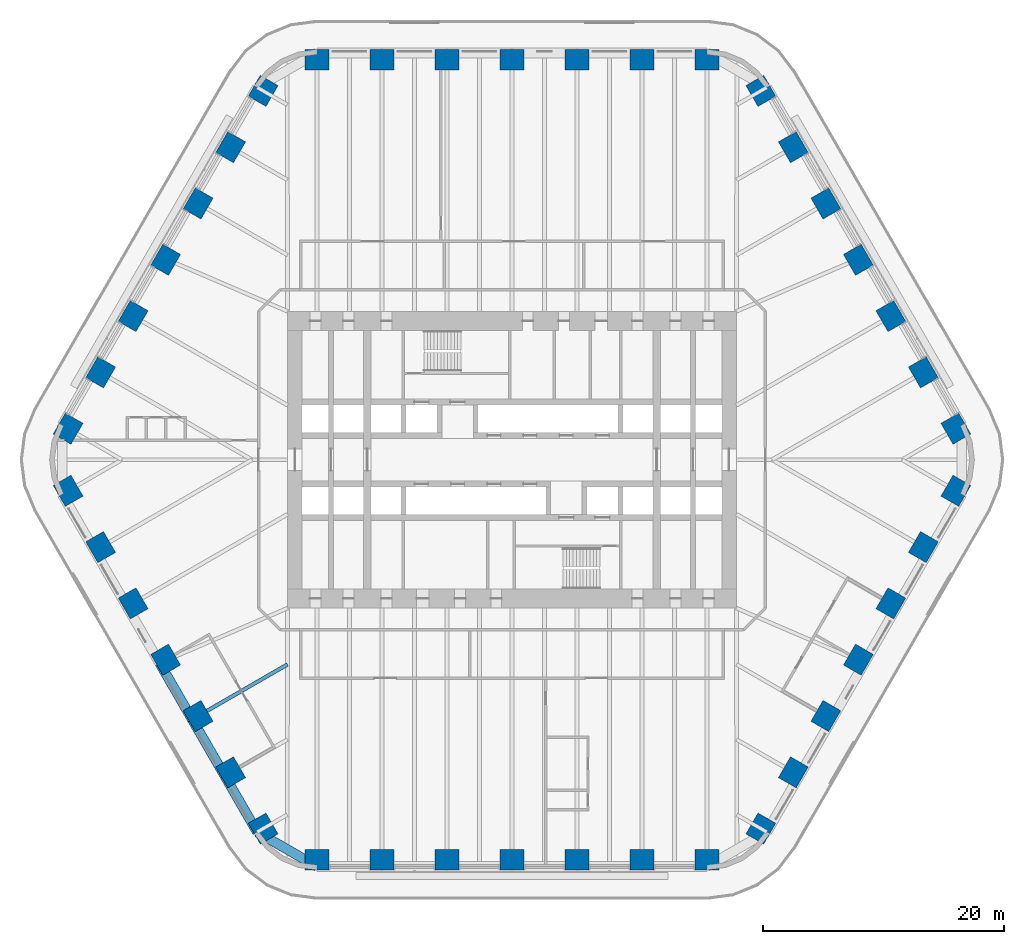
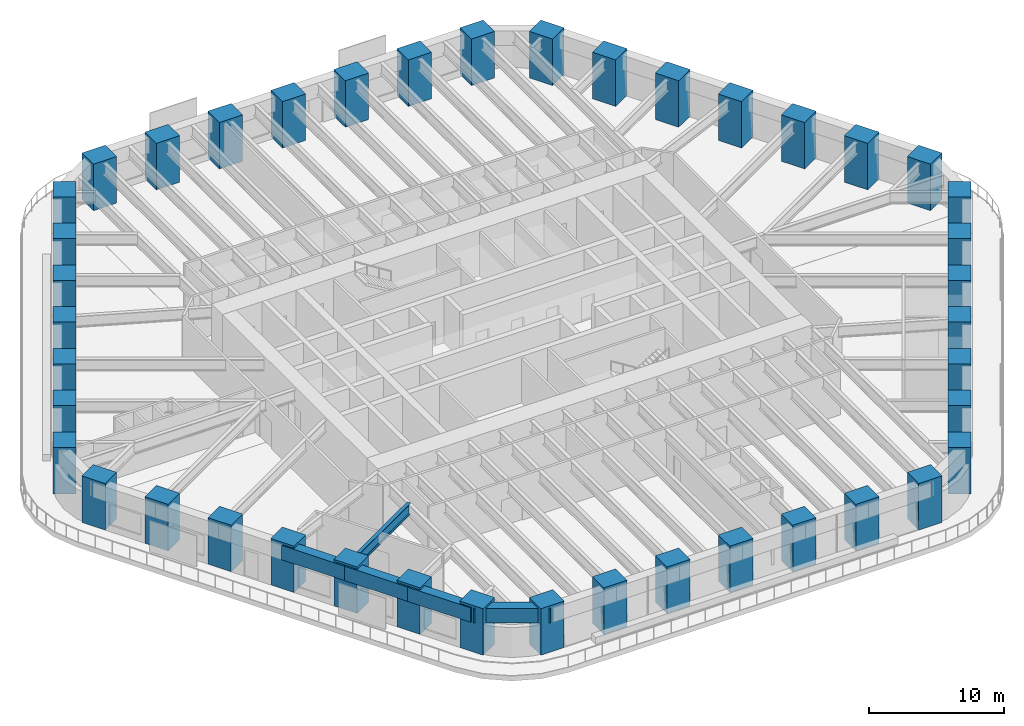
# One storey, part 1 of 23: 42 columns, 5 beams.
"""IFC4 building model written with IfcOpenShell, lengths in metres."""

from ifc_helpers import new_model, si_unit, direction, frame, origin, origin_2d, place, context, subcontext, project, spatial, rectangle, i_section, extrude, material, material_profile, profile_set, type_object, element, save


model = new_model("IFC4")

# Units and contexts
model_context = context("Model", 3, precision=1e-05, world=origin(), true_north=direction((0.0, 1.0)))
body_context = subcontext(model_context, "Body", "Model", "MODEL_VIEW")
ifc_project = project(units=[si_unit("LENGTHUNIT", "METRE"), si_unit("AREAUNIT", "SQUARE_METRE"), si_unit("VOLUMEUNIT", "CUBIC_METRE"), si_unit("PLANEANGLEUNIT", "RADIAN"), si_unit("MASSUNIT", "GRAM", prefix="KILO")], contexts=[model_context])

# Site, building, storey
site_placement = place(None, origin())
site = spatial("IfcSite", under=ifc_project, at=site_placement, CompositionType="ELEMENT")
building_placement = place(site_placement, origin())
building = spatial("IfcBuilding", under=site, at=building_placement, Name="Tarfa Lantern Tower", CompositionType="ELEMENT")
storey_placement = place(building_placement, frame((0.0, 0.0, 82.300048828125)))
storey = spatial("IfcBuildingStorey", under=building, at=storey_placement, Name="L18", CompositionType="ELEMENT", Elevation=82.300048828125)

# Columns
ifc_material_1 = material(Name="Concrete C80/95", Category="concrete")
ifc_material_profile_1 = material_profile(ifc_material_1, rectangle(XDim=2.0, YDim=1.699951171875, at=origin_2d()), Name="RC 2000x1700")
ifc_profile_set_1 = profile_set([ifc_material_profile_1], Name="Concrete C80/95")
column_type = type_object("IfcColumnType", Name="TC3 RC 2000x1700", PredefinedType="COLUMN", material=ifc_profile_set_1)
for number, where, z_axis, x_axis, name in (
    (1, (36.791748046875, 2.574951171875, 0.0), (0.0, 0.0, 1.0), (-0.5, 0.866025403784, 0.0), "Tube column NE0"),
    (2, (34.097412109375, 7.24169921875, 0.0), (0.0, 0.0, 1.0), (-0.5, 0.866025403784, 0.0), "Tube column NE1"),
    (3, (31.403076171875, 11.908447265625, 0.0), (0.0, 0.0, 1.0), (-0.5, 0.866025403784, 0.0), "Tube column NE2"),
    (4, (28.708740234375, 16.574951171875, 0.0), (0.0, 0.0, 1.0), (-0.5, 0.866025403784, 0.0), "Tube column NE3"),
    (5, (26.014404296875, 21.24169921875, 0.0), (0.0, 0.0, 1.0), (-0.5, 0.866025403784, 0.0), "Tube column NE4"),
    (6, (23.320068359375, 25.908447265625, 0.0), (0.0, 0.0, 1.0), (-0.5, 0.866025403784, 0.0), "Tube column NE5"),
    (7, (20.625732421875, 30.574951171875, 0.0), (0.0, 0.0, 1.0), (-0.5, 0.866025403784, 0.0), "Tube column NE6"),
    (8, (16.165771484375, 33.14990234375, 0.0), (0.0, 0.0, 1.0), (-1.0, 0.0, 0.0), "Tube column N0"),
    (9, (10.777099609375, 33.14990234375, 0.0), (0.0, 0.0, 1.0), (-1.0, 0.0, 0.0), "Tube column N1"),
    (10, (5.388671875, 33.14990234375, 0.0), (0.0, 0.0, 1.0), (-1.0, 0.0, 0.0), "Tube column N2"),
    (11, (0.0, 33.14990234375, 0.0), (0.0, 0.0, 1.0), (-1.0, 0.0, 0.0), "Tube column N3"),
    (12, (-5.388671875, 33.14990234375, 0.0), (0.0, 0.0, 1.0), (-1.0, 0.0, 0.0), "Tube column N4"),
    (13, (-10.777099609375, 33.14990234375, 0.0), (0.0, 0.0, 1.0), (-1.0, 0.0, 0.0), "Tube column N5"),
    (14, (-16.165771484375, 33.14990234375, 0.0), (0.0, 0.0, 1.0), (-1.0, 0.0, 0.0), "Tube column N6"),
    (15, (-20.625732421875, 30.574951171875, 0.0), (0.0, 0.0, 1.0), (-0.5, -0.866025403784, 0.0), "Tube column NW0"),
    (16, (-23.320068359375, 25.908447265625, 0.0), (0.0, 0.0, 1.0), (-0.5, -0.866025403784, 0.0), "Tube column NW1"),
    (17, (-26.014404296875, 21.24169921875, 0.0), (0.0, 0.0, 1.0), (-0.5, -0.866025403784, 0.0), "Tube column NW2"),
    (18, (-28.708740234375, 16.574951171875, 0.0), (0.0, 0.0, 1.0), (-0.5, -0.866025403784, 0.0), "Tube column NW3"),
    (19, (-31.403076171875, 11.908447265625, 0.0), (0.0, 0.0, 1.0), (-0.5, -0.866025403784, 0.0), "Tube column NW4"),
    (20, (-34.097412109375, 7.24169921875, 0.0), (0.0, 0.0, 1.0), (-0.5, -0.866025403784, 0.0), "Tube column NW5"),
    (21, (-36.791748046875, 2.574951171875, 0.0), (0.0, 0.0, 1.0), (-0.5, -0.866025403784, 0.0), "Tube column NW6"),
    (22, (-36.791748046875, -2.574951171875, 0.0), (0.0, 0.0, 1.0), (0.5, -0.866025403784, 0.0), "Tube column SW0"),
    (23, (-34.097412109375, -7.24169921875, 0.0), (0.0, 0.0, 1.0), (0.5, -0.866025403784, 0.0), "Tube column SW1"),
    (24, (-31.403076171875, -11.908447265625, 0.0), (0.0, 0.0, 1.0), (0.5, -0.866025403784, 0.0), "Tube column SW2"),
    (25, (-28.708740234375, -16.574951171875, 0.0), (0.0, 0.0, 1.0), (0.5, -0.866025403784, 0.0), "Tube column SW3"),
    (26, (-26.014404296875, -21.24169921875, 0.0), (0.0, 0.0, 1.0), (0.5, -0.866025403784, 0.0), "Tube column SW4"),
    (27, (-23.320068359375, -25.908447265625, 0.0), (0.0, 0.0, 1.0), (0.5, -0.866025403784, 0.0), "Tube column SW5"),
    (28, (-20.625732421875, -30.574951171875, 0.0), (0.0, 0.0, 1.0), (0.5, -0.866025403784, 0.0), "Tube column SW6"),
    (29, (-16.165771484375, -33.14990234375, 0.0), (0.0, 0.0, 1.0), (1.0, 0.0, 0.0), "Tube column S0"),
    (30, (-10.777099609375, -33.14990234375, 0.0), (0.0, 0.0, 1.0), (1.0, 0.0, 0.0), "Tube column S1"),
    (31, (-5.388671875, -33.14990234375, 0.0), (0.0, 0.0, 1.0), (1.0, 0.0, 0.0), "Tube column S2"),
    (32, (0.0, -33.14990234375, 0.0), (0.0, 0.0, 1.0), (1.0, 0.0, 0.0), "Tube column S3"),
    (33, (5.388671875, -33.14990234375, 0.0), (0.0, 0.0, 1.0), (1.0, 0.0, 0.0), "Tube column S4"),
    (34, (10.777099609375, -33.14990234375, 0.0), (0.0, 0.0, 1.0), (1.0, 0.0, 0.0), "Tube column S5"),
    (35, (16.165771484375, -33.14990234375, 0.0), (0.0, 0.0, 1.0), (1.0, 0.0, 0.0), "Tube column S6"),
    (36, (20.625732421875, -30.574951171875, 0.0), (0.0, 0.0, 1.0), (0.5, 0.866025403784, 0.0), "Tube column SE0"),
    (37, (23.320068359375, -25.908447265625, 0.0), (0.0, 0.0, 1.0), (0.5, 0.866025403784, 0.0), "Tube column SE1"),
    (38, (26.014404296875, -21.24169921875, 0.0), (0.0, 0.0, 1.0), (0.5, 0.866025403784, 0.0), "Tube column SE2"),
    (39, (28.708740234375, -16.574951171875, 0.0), (0.0, 0.0, 1.0), (0.5, 0.866025403784, 0.0), "Tube column SE3"),
    (40, (31.403076171875, -11.908447265625, 0.0), (0.0, 0.0, 1.0), (0.5, 0.866025403784, 0.0), "Tube column SE4"),
    (41, (34.097412109375, -7.24169921875, 0.0), (0.0, 0.0, 1.0), (0.5, 0.866025403784, 0.0), "Tube column SE5"),
    (42, (36.791748046875, -2.574951171875, 0.0), (0.0, 0.0, 1.0), (0.5, 0.866025403784, 0.0), "Tube column SE6"),
):
    element("IfcColumn", number, at=place(storey_placement, frame(where, z_axis=z_axis, x_axis=x_axis)), inside=storey, type_object=column_type, Name=name, PredefinedType="COLUMN", context=body_context, shape_type="SweptSolid", body=[
        extrude(rectangle(XDim=2.0, YDim=1.699951171875, at=origin_2d()), origin(), (0.0, 0.0, 1.0), 4.199951171875),
    ])

# Beams
ifc_material_profile_2 = material_profile(ifc_material_1, rectangle(XDim=0.800048828125, YDim=1.300048828125, at=origin_2d()), Name="RC 800x1300")
ifc_profile_set_2 = profile_set([ifc_material_profile_2], Name="Concrete C80/95")
beam_type_1 = type_object("IfcBeamType", Name="EB1 RC 800x1300", PredefinedType="SPANDREL", material=ifc_profile_set_2)
beam_1_placement = place(storey_placement, frame((-29.202392578125, -16.860107421875, 3.349853515625), z_axis=(0.500017906299, -0.866015065331, 0.0), x_axis=(0.866015065331, 0.500017906299, 0.0)))
element("IfcBeam", 43, at=beam_1_placement, inside=storey, type_object=beam_type_1, Name="Edge beam SW3", PredefinedType="SPANDREL", context=body_context, shape_type="SweptSolid", body=[
    extrude(rectangle(XDim=0.800048828125, YDim=1.300048828125, at=origin_2d()), origin(), (0.0, 0.0, 1.0), 5.388427734375),
])
for number, where, z_axis, x_axis, name in (
    (44, (-26.508056640625, -21.526611328125, 3.349853515625), (0.499998287579, -0.866026392449, 0.0), (0.866026392449, 0.499998287579, 0.0), "Edge beam SW4"),
    (45, (-23.813720703125, -26.193359375, 3.349853515625), (0.499998287579, -0.866026392449, 0.0), (0.866026392449, 0.499998287579, 0.0), "Edge beam SW5"),
):
    element("IfcBeam", number, at=place(storey_placement, frame(where, z_axis=z_axis, x_axis=x_axis)), inside=storey, type_object=beam_type_1, Name=name, PredefinedType="SPANDREL", context=body_context, shape_type="SweptSolid", body=[
        extrude(rectangle(XDim=0.800048828125, YDim=1.300048828125, at=origin_2d()), origin(), (0.0, 0.0, 1.0), 5.388671875),
    ])
beam_2_placement = place(storey_placement, frame((-21.119384765625, -30.860107421875, 3.349853515625), z_axis=(0.866033479681, -0.499986011877, 0.0), x_axis=(0.499986011877, 0.866033479681, 0.0)))
element("IfcBeam", 46, at=beam_2_placement, inside=storey, type_object=beam_type_1, Name="Edge beam SW6", PredefinedType="SPANDREL", context=body_context, shape_type="SweptSolid", body=[
    extrude(rectangle(XDim=0.800048828125, YDim=1.300048828125, at=origin_2d()), origin(), (0.0, 0.0, 1.0), 5.719970703125),
])
ifc_material_2 = material(Name="Steel S460M", Category="steel")
ifc_material_profile_3 = material_profile(ifc_material_2, i_section(OverallWidth=0.302001953125, OverallDepth=1.008056640625, WebThickness=0.02099609375, FlangeThickness=0.0400390625, FilletRadius=0.030029296875, at=origin_2d()), Name="UB1016x305x349")
ifc_profile_set_3 = profile_set([ifc_material_profile_3], Name="Steel S460M")
beam_type_2 = type_object("IfcBeamType", Name="UB1016x305x349", PredefinedType="BEAM", material=ifc_profile_set_3)
beam_3_placement = place(storey_placement, frame((-26.508056640625, -21.526611328125, 3.495849609375), z_axis=(0.866035355799, 0.49998276221, 0.0), x_axis=(-0.49998276221, 0.866035355799, 0.0)))
element("IfcBeam", 47, at=beam_3_placement, inside=storey, type_object=beam_type_2, Name="Floor beam SW4", PredefinedType="BEAM", context=body_context, shape_type="SweptSolid", body=[
    extrude(i_section(OverallWidth=0.302001953125, OverallDepth=1.008056640625, WebThickness=0.02099609375, FlangeThickness=0.0400390625, FilletRadius=0.030029296875, at=origin_2d()), origin(), (0.0, 0.0, 1.0), 9.119873046875),
])

save(model, "model.ifc")
